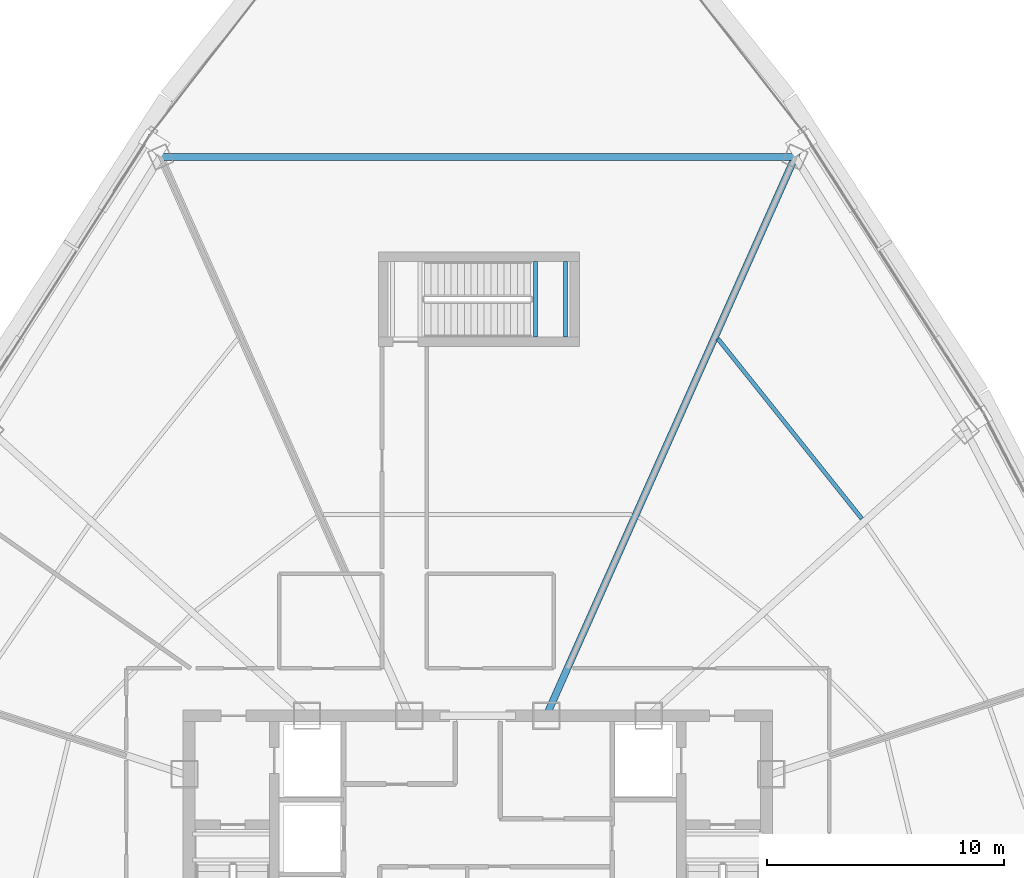
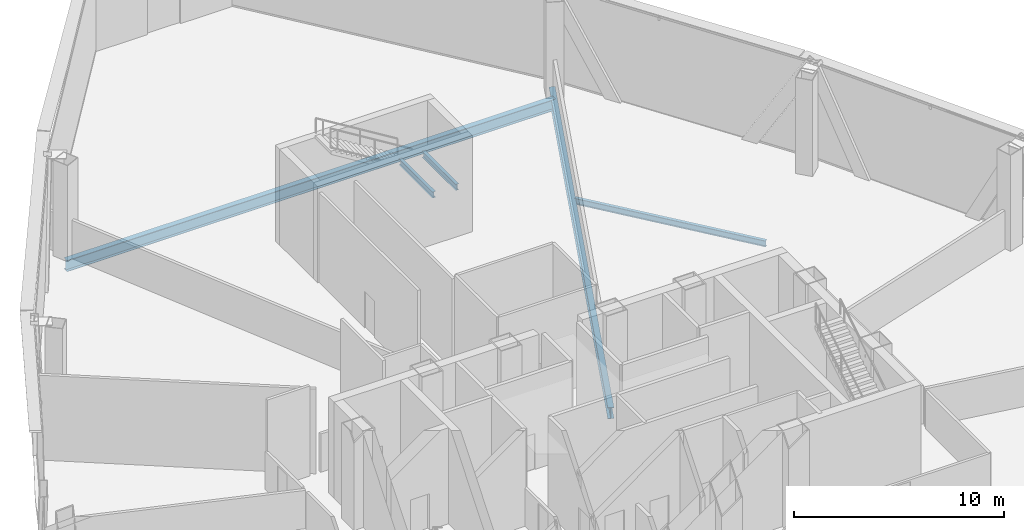
# One storey, part 22 of 38: 5 beams.
"""IFC4 building model written with IfcOpenShell, lengths in metres."""

from ifc_helpers import new_model, si_unit, direction, frame, origin, origin_2d, place, context, subcontext, project, spatial, i_section, extrude, source, transform, mapped, material, material_profile, profile_set, type_object, element, save


model = new_model("IFC4")

# Units and contexts
model_context = context("Model", 3, precision=1e-05, world=origin(), true_north=direction((0.0, 1.0)))
body_context = subcontext(model_context, "Body", "Model", "MODEL_VIEW")
ifc_project = project(units=[si_unit("LENGTHUNIT", "METRE"), si_unit("AREAUNIT", "SQUARE_METRE"), si_unit("VOLUMEUNIT", "CUBIC_METRE"), si_unit("PLANEANGLEUNIT", "RADIAN"), si_unit("MASSUNIT", "GRAM", prefix="KILO"), si_unit("THERMODYNAMICTEMPERATUREUNIT", "KELVIN"), si_unit("POWERUNIT", "WATT")], contexts=[model_context])

# Site, building, storey
site_placement = place(None, origin())
site = spatial("IfcSite", under=ifc_project, at=site_placement, CompositionType="ELEMENT")
building_placement = place(site_placement, origin())
building = spatial("IfcBuilding", under=site, at=building_placement, Name="Yunzhuo Pagoda Commons", CompositionType="ELEMENT")
storey_placement = place(building_placement, frame((0.0, 0.0, 266.909912109375)))
storey = spatial("IfcBuildingStorey", under=building, at=storey_placement, Name="L67", CompositionType="ELEMENT", Elevation=266.909912109375)

# Beams
ifc_material = material(Name="Structural steel Q355B", Category="steel")
ifc_material_profile_1 = material_profile(ifc_material, i_section(OverallWidth=0.175048828125, OverallDepth=0.35009765625, WebThickness=0.007080078125, FlangeThickness=0.010986328125, at=origin_2d()), Name="Structural steel Q355B")
ifc_profile_set_1 = profile_set([ifc_material_profile_1], Name="Structural steel Q355B")
beam_type_1 = type_object("IfcBeamType", Name="B-JS2 Joist HN 350x175x7x11", PredefinedType="JOIST", material=ifc_profile_set_1)
shared_shape_1 = source(origin(), body_context, "Body", "SweptSolid", [
    extrude(i_section(OverallWidth=0.175048828125, OverallDepth=0.35009765625, WebThickness=0.007080078125, FlangeThickness=0.010986328125, at=origin_2d()), origin(), (0.0, 0.0, 1.0), 3.199951171875),
])
for number, where, z_axis, x_axis, name in (
    (1, (50.429931640625, 56.199951171875, 2.550048828125), (0.0, 1.0, 0.0), (-1.0, 0.0, 0.0), "L67 ST3 landing support beam 73A"),
    (2, (51.699951171875, 56.199951171875, 2.550048828125), (0.0, 1.0, 0.0), (-1.0, 0.0, 0.0), "L67 ST3 landing support beam 73B"),
):
    element("IfcBeam", number, at=place(storey_placement, frame(where, z_axis=z_axis, x_axis=x_axis)), inside=storey, type_object=beam_type_1, Name=name, PredefinedType="JOIST", context=body_context, shape_type="MappedRepresentation", body=[
        mapped(shared_shape_1, transform((0.0, 0.0, 0.0), scale=1.0)),
    ])
ifc_material_profile_2 = material_profile(ifc_material, i_section(OverallWidth=0.300048828125, OverallDepth=0.64990234375, WebThickness=0.012939453125, FlangeThickness=0.02197265625, at=origin_2d()), Name="Structural steel Q355B")
ifc_profile_set_2 = profile_set([ifc_material_profile_2], Name="Structural steel Q355B")
beam_type_2 = type_object("IfcBeamType", Name="B-RG2 Beam HN 650x300x13x22", PredefinedType="BEAM", material=ifc_profile_set_2)
shared_shape_2 = source(origin(), body_context, "Body", "SweptSolid", [
    extrude(i_section(OverallWidth=0.300048828125, OverallDepth=0.64990234375, WebThickness=0.012939453125, FlangeThickness=0.02197265625, at=origin_2d()), origin(), (0.0, 0.0, 1.0), 26.8134765625),
])
beam_1_placement = place(storey_placement, frame((61.40673828125, 63.81201171875, -0.5849609375), z_axis=(-1.0, 0.0, 0.0), x_axis=(0.0, -1.0, 0.0)))
element("IfcBeam", 3, at=beam_1_placement, inside=storey, type_object=beam_type_2, Name="L67 column-ring beam 8", PredefinedType="BEAM", context=body_context, shape_type="MappedRepresentation", body=[
    mapped(shared_shape_2, transform((0.0, 0.0, 0.0), scale=1.0)),
])
shared_shape_3 = source(origin(), body_context, "Body", "SweptSolid", [
    extrude(i_section(OverallWidth=0.175048828125, OverallDepth=0.35009765625, WebThickness=0.007080078125, FlangeThickness=0.010986328125, at=origin_2d()), origin(), (0.0, 0.0, 1.0), 9.741455078125),
])
beam_2_placement = place(storey_placement, frame((64.226806640625, 48.5244140625, -0.434814453125), z_axis=(-0.624618636222, 0.780929932378, 0.0), x_axis=(-0.780929932378, -0.624618636222, 0.0)))
element("IfcBeam", 4, at=beam_2_placement, inside=storey, type_object=beam_type_1, Name="L67 composite ring joist 2.7", PredefinedType="JOIST", context=body_context, shape_type="MappedRepresentation", body=[
    mapped(shared_shape_3, transform((0.0, 0.0, 0.0), scale=1.0)),
])
shared_shape_4 = source(origin(), body_context, "Body", "SweptSolid", [
    extrude(i_section(OverallWidth=0.300048828125, OverallDepth=0.64990234375, WebThickness=0.012939453125, FlangeThickness=0.02197265625, at=origin_2d()), origin(), (0.0, 0.0, 1.0), 26.74169921875),
])
beam_3_placement = place(storey_placement, frame((61.770751953125, 64.629638671875, -0.5849609375), z_axis=(-0.40673387601, -0.913546689615, 0.0), x_axis=(0.913546689615, -0.40673387601, 0.0)))
element("IfcBeam", 5, at=beam_3_placement, inside=storey, type_object=beam_type_2, Name="L67 radial floor girder F2C4", PredefinedType="BEAM", context=body_context, shape_type="MappedRepresentation", body=[
    mapped(shared_shape_4, transform((0.0, 0.0, 0.0), scale=1.0)),
])

save(model, "model.ifc")
